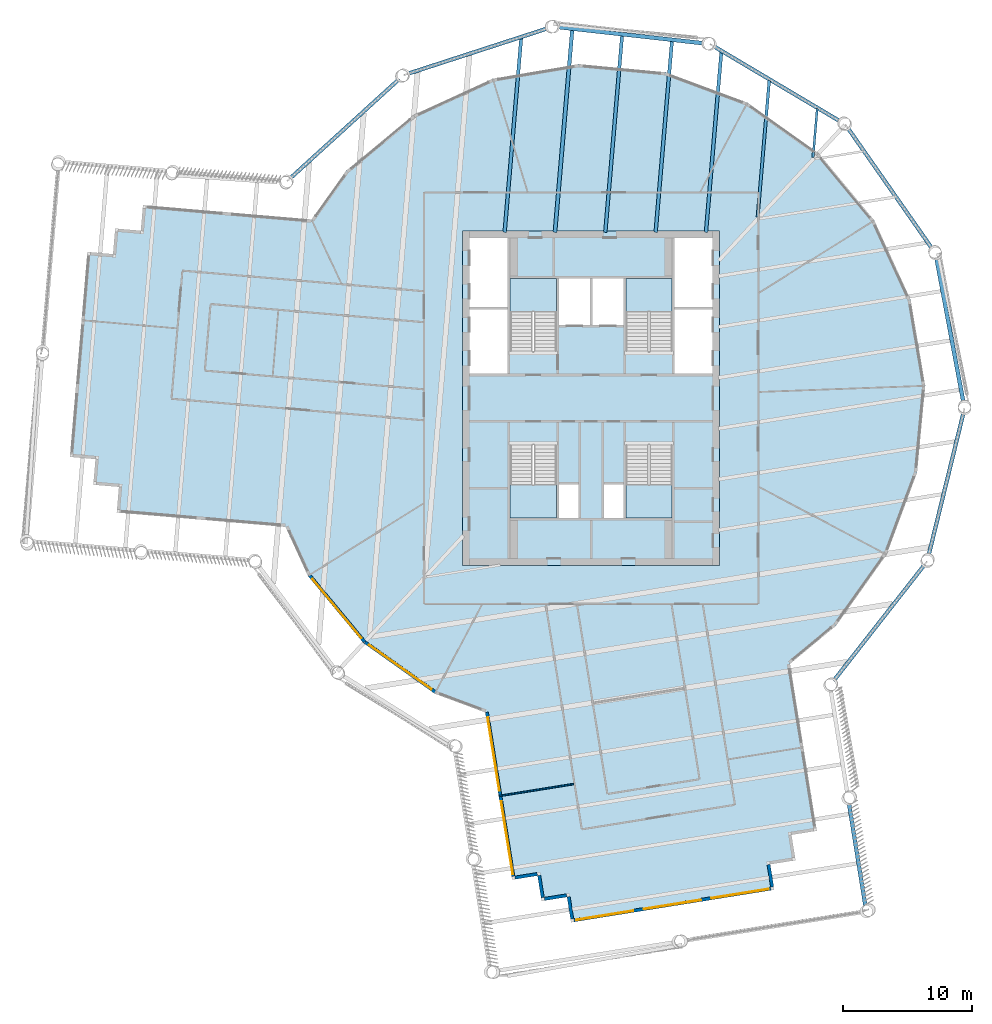
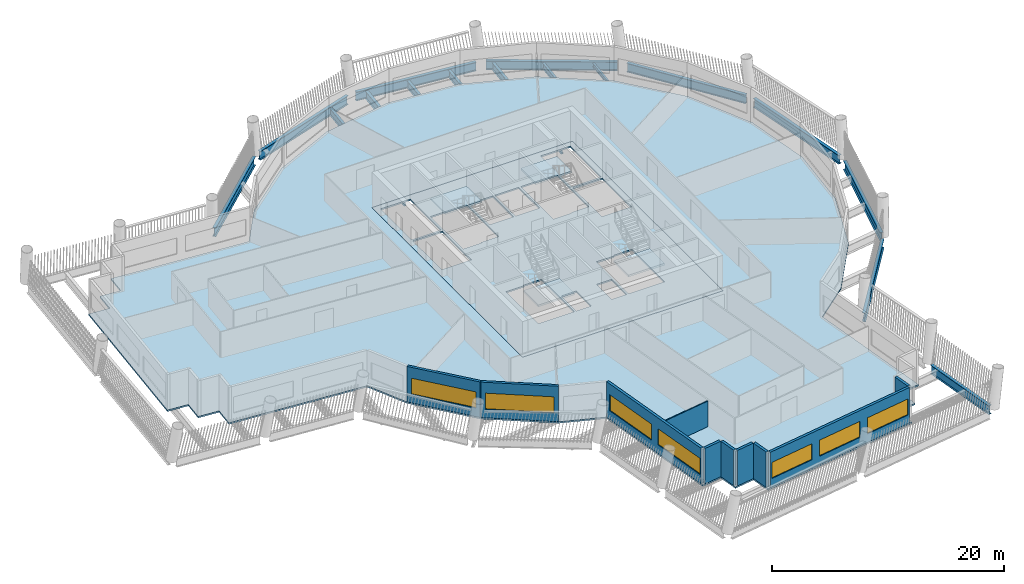
# One storey, part 2 of 14: 16 beams, 10 walls, 7 windows, 6 slabs, 7 openings, 4 elements without a shape of their own.
"""IFC4 building model written with IfcOpenShell, lengths in metres."""

from ifc_helpers import new_model, si_unit, direction, frame, frame_2d, origin, origin_2d, place, context, subcontext, project, spatial, polyline, rectangle, i_section, outline, extrude, material, layer, layer_set, material_profile, profile_set, type_object, element, fill, aggregate, save


model = new_model("IFC4")

# Units and contexts
model_context = context("Model", 3, precision=1e-05, world=origin(), true_north=direction((0.0, 1.0)))
body_context = subcontext(model_context, "Body", "Model", "MODEL_VIEW")
ifc_project = project(units=[si_unit("LENGTHUNIT", "METRE"), si_unit("AREAUNIT", "SQUARE_METRE"), si_unit("VOLUMEUNIT", "CUBIC_METRE"), si_unit("PLANEANGLEUNIT", "RADIAN"), si_unit("MASSUNIT", "GRAM", prefix="KILO")], contexts=[model_context])

# Site, building, storey
site_placement = place(None, origin())
site = spatial("IfcSite", under=ifc_project, at=site_placement, CompositionType="ELEMENT")
building_placement = place(site_placement, origin())
building = spatial("IfcBuilding", under=site, at=building_placement, Name="Tarsis Ring Headquarters", CompositionType="ELEMENT")
storey_placement = place(building_placement, frame((0.0, 0.0, 266.89990234375)))
storey = spatial("IfcBuildingStorey", under=building, at=storey_placement, Name="L62", CompositionType="ELEMENT", Elevation=266.89990234375)

# Beams
ifc_material_1 = material(Name="Structural steel S355", Category="steel")
ifc_material_profile_1 = material_profile(ifc_material_1, i_section(OverallWidth=0.177734375, OverallDepth=0.406494140625, WebThickness=0.0078125, FlangeThickness=0.0126953125, at=origin_2d()), Name="W16x40")
ifc_profile_set_1 = profile_set([ifc_material_profile_1], Name="Structural steel S355")
beam_type_1 = type_object("IfcBeamType", Name="FB Floor beam W16x40", PredefinedType="JOIST", material=ifc_profile_set_1)
beam_1_placement = place(storey_placement, frame((17.57861328125, 22.51025390625, -0.363037109375), z_axis=(-0.085073587479, -0.996374670851, 0.0), x_axis=(0.996374670851, -0.085073587479, 0.0)))
element("IfcBeam", 1, at=beam_1_placement, inside=storey, type_object=beam_type_1, Name="Floor beam FB1", PredefinedType="JOIST", context=body_context, shape_type="SweptSolid", body=[
    extrude(i_section(OverallWidth=0.177734375, OverallDepth=0.406494140625, WebThickness=0.0078125, FlangeThickness=0.0126953125, at=origin_2d()), origin(), (0.0, 0.0, 1.0), 3.805419921875),
])
ifc_material_profile_2 = material_profile(ifc_material_1, i_section(OverallWidth=0.228271484375, OverallDepth=0.607177734375, WebThickness=0.01123046875, FlangeThickness=0.017333984375, at=origin_2d()), Name="W24x76")
ifc_profile_set_2 = profile_set([ifc_material_profile_2], Name="Structural steel S355")
beam_type_2 = type_object("IfcBeamType", Name="FB Floor beam W24x76", PredefinedType="JOIST", material=ifc_profile_set_2)
beam_2_placement = place(storey_placement, frame((13.853271484375, 24.722900390625, -0.46337890625), z_axis=(-0.085068670881, -0.996375090633, 0.0), x_axis=(0.996375090633, -0.085068670881, 0.0)))
element("IfcBeam", 2, at=beam_2_placement, inside=storey, type_object=beam_type_2, Name="Floor beam FB4", PredefinedType="JOIST", context=body_context, shape_type="SweptSolid", body=[
    extrude(i_section(OverallWidth=0.228271484375, OverallDepth=0.607177734375, WebThickness=0.01123046875, FlangeThickness=0.017333984375, at=origin_2d()), origin(), (0.0, 0.0, 1.0), 10.684814453125),
])
ifc_material_profile_3 = material_profile(ifc_material_1, i_section(OverallWidth=0.2666015625, OverallDepth=0.7568359375, WebThickness=0.013916015625, FlangeThickness=0.019287109375, at=origin_2d()), Name="W30x108")
ifc_profile_set_3 = profile_set([ifc_material_profile_3], Name="Structural steel S355")
beam_type_3 = type_object("IfcBeamType", Name="FB Floor beam W30x108", PredefinedType="JOIST", material=ifc_profile_set_3)
beam_3_placement = place(storey_placement, frame((10.128173828125, 26.935546875, -0.538330078125), z_axis=(-0.085082098726, -0.996373944097, 0.0), x_axis=(0.996373944097, -0.085082098726, 0.0)))
element("IfcBeam", 3, at=beam_3_placement, inside=storey, type_object=beam_type_3, Name="Floor beam FB6", PredefinedType="JOIST", context=body_context, shape_type="SweptSolid", body=[
    extrude(i_section(OverallWidth=0.2666015625, OverallDepth=0.7568359375, WebThickness=0.013916015625, FlangeThickness=0.019287109375, at=origin_2d()), origin(), (0.0, 0.0, 1.0), 14.086181640625),
])
beam_4_placement = place(storey_placement, frame((6.2890625, 27.814697265625, -0.538330078125), z_axis=(-0.085074073348, -0.996374629366, 0.0), x_axis=(0.996374629366, -0.085074073348, 0.0)))
element("IfcBeam", 4, at=beam_4_placement, inside=storey, type_object=beam_type_3, Name="Floor beam FB6", PredefinedType="JOIST", context=body_context, shape_type="SweptSolid", body=[
    extrude(i_section(OverallWidth=0.2666015625, OverallDepth=0.7568359375, WebThickness=0.013916015625, FlangeThickness=0.019287109375, at=origin_2d()), origin(), (0.0, 0.0, 1.0), 14.968505859375),
])
beam_5_placement = place(storey_placement, frame((2.41162109375, 28.247314453125, -0.538330078125), z_axis=(-0.085069356158, -0.996375032125, 0.0), x_axis=(0.996375032125, -0.085069356158, 0.0)))
element("IfcBeam", 5, at=beam_5_placement, inside=storey, type_object=beam_type_3, Name="Floor beam FB6", PredefinedType="JOIST", context=body_context, shape_type="SweptSolid", body=[
    extrude(i_section(OverallWidth=0.2666015625, OverallDepth=0.7568359375, WebThickness=0.013916015625, FlangeThickness=0.019287109375, at=origin_2d()), origin(), (0.0, 0.0, 1.0), 15.40283203125),
])
beam_6_placement = place(storey_placement, frame((-5.435791015625, 28.023193359375, -0.538330078125), z_axis=(-0.085075388996, -0.99637451703, 0.0), x_axis=(0.99637451703, -0.085075388996, 0.0)))
element("IfcBeam", 6, at=beam_6_placement, inside=storey, type_object=beam_type_3, Name="Floor beam FB6", PredefinedType="JOIST", context=body_context, shape_type="SweptSolid", body=[
    extrude(i_section(OverallWidth=0.2666015625, OverallDepth=0.7568359375, WebThickness=0.013916015625, FlangeThickness=0.019287109375, at=origin_2d()), origin(), (0.0, 0.0, 1.0), 15.177734375),
])
ifc_material_profile_4 = material_profile(ifc_material_1, i_section(OverallWidth=0.2919921875, OverallDepth=0.835693359375, WebThickness=0.013916015625, FlangeThickness=0.018798828125, at=origin_2d()), Name="W33x118")
ifc_profile_set_4 = profile_set([ifc_material_profile_4], Name="Structural steel S355")
beam_type_4 = type_object("IfcBeamType", Name="FB Floor beam W33x118", PredefinedType="JOIST", material=ifc_profile_set_4)
beam_7_placement = place(storey_placement, frame((-1.465576171875, 28.679931640625, -0.57763671875), z_axis=(-0.085064897618, -0.99637541278, 0.0), x_axis=(0.99637541278, -0.085064897618, 0.0)))
element("IfcBeam", 7, at=beam_7_placement, inside=storey, type_object=beam_type_4, Name="Floor beam FB7", PredefinedType="JOIST", context=body_context, shape_type="SweptSolid", body=[
    extrude(i_section(OverallWidth=0.2919921875, OverallDepth=0.835693359375, WebThickness=0.013916015625, FlangeThickness=0.018798828125, at=origin_2d()), origin(), (0.0, 0.0, 1.0), 15.8369140625),
])
ifc_material_profile_5 = material_profile(ifc_material_1, i_section(OverallWidth=0.309814453125, OverallDepth=0.93212890625, WebThickness=0.02099609375, FlangeThickness=0.034423828125, at=origin_2d()), Name="W36x210")
ifc_profile_set_5 = profile_set([ifc_material_profile_5], Name="Structural steel S355")
beam_type_5 = type_object("IfcBeamType", Name="XG Ring girder W36x210", PredefinedType="BEAM", material=ifc_profile_set_5)
beam_8_placement = place(storey_placement, frame((21.324462890625, -39.461669921875, -0.466064453125), z_axis=(-0.158503052617, 0.987358487233, 0.0), x_axis=(-0.987358487233, -0.158503052617, 0.0)))
element("IfcBeam", 8, at=beam_8_placement, inside=storey, type_object=beam_type_5, Name="Ring girder XG3", PredefinedType="BEAM", context=body_context, shape_type="SweptSolid", body=[
    extrude(i_section(OverallWidth=0.309814453125, OverallDepth=0.93212890625, WebThickness=0.02099609375, FlangeThickness=0.034423828125, at=origin_2d()), origin(), (0.0, 0.0, 1.0), 7.988037109375),
])
for number, where, z_axis, x_axis, name in (
    (9, (18.856689453125, -21.973876953125, -0.466064453125), (0.61674317651, 0.787164439128, 0.0), (-0.787164439128, 0.61674317651, 0.0), "Ring girder XG3"),
    (10, (26.23779296875, -12.247802734375, -0.466064453125), (0.237453993821, 0.971398785679, 0.0), (-0.971398785679, 0.237453993821, 0.0), "Ring girder XG3"),
    (11, (28.95361328125, -0.343994140625, -0.466064453125), (-0.184055739818, 0.982915807503, 0.0), (-0.982915807503, -0.184055739818, 0.0), "Ring girder XG3"),
):
    element("IfcBeam", number, at=place(storey_placement, frame(where, z_axis=z_axis, x_axis=x_axis)), inside=storey, type_object=beam_type_5, Name=name, PredefinedType="BEAM", context=body_context, shape_type="SweptSolid", body=[
        extrude(i_section(OverallWidth=0.309814453125, OverallDepth=0.93212890625, WebThickness=0.02099609375, FlangeThickness=0.034423828125, at=origin_2d()), origin(), (0.0, 0.0, 1.0), 11.33447265625),
    ])
for number, where, z_axis, x_axis, name in (
    (12, (26.521240234375, 11.62109375, -0.466064453125), (-0.572853575586, 0.819657721819, 0.0), (-0.819657721819, -0.572853575586, 0.0), "Ring girder XG3"),
    (13, (19.373291015625, 21.519775390625, -0.466064453125), (-0.859774653714, 0.510673618696, 0.0), (-0.510673618696, -0.859774653714, 0.0), "Ring girder XG3"),
    (14, (8.78076171875, 27.592041015625, -0.466064453125), (-0.99383293219, 0.110887794164, 0.0), (-0.110887794164, -0.99383293219, 0.0), "Ring girder XG3"),
    (15, (-3.373046875, 28.758544921875, -0.466064453125), (-0.951183860027, -0.308624795545, 0.0), (0.308624795545, -0.951183860027, 0.0), "Ring girder XG3"),
):
    element("IfcBeam", number, at=place(storey_placement, frame(where, z_axis=z_axis, x_axis=x_axis)), inside=storey, type_object=beam_type_5, Name=name, PredefinedType="BEAM", context=body_context, shape_type="SweptSolid", body=[
        extrude(i_section(OverallWidth=0.309814453125, OverallDepth=0.93212890625, WebThickness=0.02099609375, FlangeThickness=0.034423828125, at=origin_2d()), origin(), (0.0, 0.0, 1.0), 11.334228515625),
    ])
beam_9_placement = place(storey_placement, frame((-14.927001953125, 24.8115234375, -0.466064453125), z_axis=(-0.739406714909, -0.673259021438, 0.0), x_axis=(0.673259021438, -0.739406714909, 0.0)))
element("IfcBeam", 16, at=beam_9_placement, inside=storey, type_object=beam_type_5, Name="Ring girder XG3", PredefinedType="BEAM", context=body_context, shape_type="SweptSolid", body=[
    extrude(i_section(OverallWidth=0.309814453125, OverallDepth=0.93212890625, WebThickness=0.02099609375, FlangeThickness=0.034423828125, at=origin_2d()), origin(), (0.0, 0.0, 1.0), 11.33447265625),
])

# Slab
ifc_material_2 = material(Name="Concrete C40/50", Category="concrete")
ifc_layer_1 = layer(ifc_material_2, 0.159912109375)
ifc_layer_set_1 = layer_set([ifc_layer_1], Name="Core floor slab 160 C40/50")
slab_type_1 = type_object("IfcSlabType", Name="Core floor slab 160 C40/50", PredefinedType="FLOOR", material=ifc_layer_set_1)
slab_1_placement = place(storey_placement, frame((0.0, 0.0, -0.159912109375)))
element("IfcSlab", 17, at=slab_1_placement, inside=storey, type_object=slab_type_1, Name="L62 core floor slab", PredefinedType="FLOOR", context=body_context, shape_type="SweptSolid", body=[
    extrude(outline(polyline([(-10.0, -13.0), (10.0, -13.0), (10.0, 13.0), (-10.0, 13.0), (-10.0, -13.0)]), holes=[polyline([(-2.5, 5.699951171875), (-0.10009765625, 5.699951171875), (-0.10009765625, 9.300048828125), (-2.5, 9.300048828125), (-2.5, 5.699951171875)]), polyline([(0.10009765625, 5.699951171875), (2.5, 5.699951171875), (2.5, 9.300048828125), (0.10009765625, 9.300048828125), (0.10009765625, 5.699951171875)]), polyline([(-9.449951171875, 1.89990234375), (-6.5, 1.89990234375), (-6.5, 6.89990234375), (-9.449951171875, 6.89990234375), (-9.449951171875, 1.89990234375)]), polyline([(-9.449951171875, 7.10009765625), (-6.5, 7.10009765625), (-6.5, 12.449951171875), (-9.449951171875, 12.449951171875), (-9.449951171875, 7.10009765625)]), polyline([(6.5, 1.89990234375), (9.449951171875, 1.89990234375), (9.449951171875, 6.89990234375), (6.5, 6.89990234375), (6.5, 1.89990234375)]), polyline([(6.5, 7.10009765625), (9.449951171875, 7.10009765625), (9.449951171875, 12.449951171875), (6.5, 12.449951171875), (6.5, 7.10009765625)]), polyline([(-2.5, -9.300048828125), (-1.0, -9.300048828125), (-1.0, -6.699951171875), (-2.5, -6.699951171875), (-2.5, -9.300048828125)]), polyline([(1.0, -9.300048828125), (2.5, -9.300048828125), (2.5, -6.699951171875), (1.0, -6.699951171875), (1.0, -9.300048828125)]), polyline([(-2.699951171875, 3.760009765625), (-2.699951171875, 9.300048828125), (-6.300048828125, 9.300048828125), (-6.300048828125, 3.659912109375), (-4.4599609375, 3.659912109375), (-4.4599609375, 3.760009765625), (-2.699951171875, 3.760009765625)]), polyline([(6.300048828125, 3.760009765625), (6.300048828125, 9.300048828125), (2.699951171875, 9.300048828125), (2.699951171875, 3.659912109375), (4.5400390625, 3.659912109375), (4.5400390625, 3.760009765625), (6.300048828125, 3.760009765625)]), polyline([(-6.300048828125, -3.760009765625), (-6.300048828125, -9.300048828125), (-2.699951171875, -9.300048828125), (-2.699951171875, -3.659912109375), (-4.5400390625, -3.659912109375), (-4.5400390625, -3.760009765625), (-6.300048828125, -3.760009765625)]), polyline([(2.699951171875, -3.760009765625), (2.699951171875, -9.300048828125), (6.300048828125, -9.300048828125), (6.300048828125, -3.659912109375), (4.4599609375, -3.659912109375), (4.4599609375, -3.760009765625), (2.699951171875, -3.760009765625)])]), origin(), (0.0, 0.0, 1.0), 0.159912109375),
])

# Stair, slab
ifc_material_3 = material(Name="Core stair 1760")
stair_type = type_object("IfcStairType", Name="Core stair 1760", PredefinedType="HALF_TURN_STAIR", material=ifc_material_3)
stair_1_placement = place(storey_placement, origin())
stair_1 = element("IfcStair", 18, at=stair_1_placement, inside=storey, type_object=stair_type, Name="L62 Firefighting stair", PredefinedType="HALF_TURN_STAIR")
ifc_layer_2 = layer(ifc_material_2, 0.199951171875)
ifc_layer_set_2 = layer_set([ifc_layer_2], Name="Core stair landing 200")
slab_type_2 = type_object("IfcSlabType", Name="Core stair landing 200", PredefinedType="LANDING", material=ifc_layer_set_2)
slab_2_placement = place(storey_placement, frame((0.0, 0.0, 1.75)))
slab_2 = element("IfcSlab", 19, at=slab_2_placement, type_object=slab_type_2, Name="Stair ST1 landing 1", PredefinedType="LANDING", context=body_context, shape_type="SweptSolid", body=[
    extrude(outline(polyline([(-2.699951171875, 6.739990234375), (-2.699951171875, 9.300048828125), (-6.300048828125, 9.300048828125), (-6.300048828125, 6.739990234375), (-2.699951171875, 6.739990234375)])), origin(), (0.0, 0.0, 1.0), 0.2001953125),
])
aggregate(stair_1, [slab_2])

stair_2_placement = place(storey_placement, origin())
stair_2 = element("IfcStair", 20, at=stair_2_placement, inside=storey, type_object=stair_type, Name="L62 Exit stair B", PredefinedType="HALF_TURN_STAIR")
slab_3_placement = place(storey_placement, frame((0.0, 0.0, 1.75)))
slab_3 = element("IfcSlab", 21, at=slab_3_placement, type_object=slab_type_2, Name="Stair ST2 landing 1", PredefinedType="LANDING", context=body_context, shape_type="SweptSolid", body=[
    extrude(outline(polyline([(6.300048828125, 6.739990234375), (6.300048828125, 9.300048828125), (2.699951171875, 9.300048828125), (2.699951171875, 6.739990234375), (6.300048828125, 6.739990234375)])), origin(), (0.0, 0.0, 1.0), 0.2001953125),
])
aggregate(stair_2, [slab_3])

stair_3_placement = place(storey_placement, origin())
stair_3 = element("IfcStair", 22, at=stair_3_placement, inside=storey, type_object=stair_type, Name="L62 Exit stair C", PredefinedType="HALF_TURN_STAIR")
slab_4_placement = place(storey_placement, frame((0.0, 0.0, 1.75)))
slab_4 = element("IfcSlab", 23, at=slab_4_placement, type_object=slab_type_2, Name="Stair ST3 landing 1", PredefinedType="LANDING", context=body_context, shape_type="SweptSolid", body=[
    extrude(outline(polyline([(-6.300048828125, -6.739990234375), (-6.300048828125, -9.300048828125), (-2.699951171875, -9.300048828125), (-2.699951171875, -6.739990234375), (-6.300048828125, -6.739990234375)])), origin(), (0.0, 0.0, 1.0), 0.2001953125),
])
aggregate(stair_3, [slab_4])

stair_4_placement = place(storey_placement, origin())
stair_4 = element("IfcStair", 24, at=stair_4_placement, inside=storey, type_object=stair_type, Name="L62 Exit stair D", PredefinedType="HALF_TURN_STAIR")
slab_5_placement = place(storey_placement, frame((0.0, 0.0, 1.75)))
slab_5 = element("IfcSlab", 25, at=slab_5_placement, type_object=slab_type_2, Name="Stair ST4 landing 1", PredefinedType="LANDING", context=body_context, shape_type="SweptSolid", body=[
    extrude(outline(polyline([(2.699951171875, -6.739990234375), (2.699951171875, -9.300048828125), (6.300048828125, -9.300048828125), (6.300048828125, -6.739990234375), (2.699951171875, -6.739990234375)])), origin(), (0.0, 0.0, 1.0), 0.2001953125),
])
aggregate(stair_4, [slab_5])

# Slab
ifc_material_4 = material(Name="Concrete C35/45", Category="concrete")
ifc_layer_3 = layer(ifc_material_4, 0.159912109375)
ifc_layer_set_3 = layer_set([ifc_layer_3], Name="FS Composite floor slab 160")
slab_type_3 = type_object("IfcSlabType", Name="FS Composite floor slab 160", PredefinedType="FLOOR", material=ifc_layer_set_3)
slab_6_placement = place(storey_placement, frame((0.0, 0.0, -0.159912109375)))
element("IfcSlab", 26, at=slab_6_placement, inside=storey, type_object=slab_type_3, Name="Floor slab L62", PredefinedType="FLOOR", context=body_context, shape_type="SweptSolid", body=[
    extrude(outline(polyline([(-23.76611328125, -10.0146484375), (-22.020263671875, -13.823974609375), (-17.692138671875, -19.05224609375), (-12.158203125, -22.982177734375), (-8.22998046875, -24.44140625), (-6.14208984375, -37.447021484375), (-4.16748046875, -37.1298828125), (-3.8505859375, -39.104736328125), (-1.875732421875, -38.78759765625), (-1.558837890625, -40.762451171875), (14.239013671875, -38.226318359375), (13.921875, -36.251708984375), (15.896728515625, -35.9345703125), (15.57958984375, -33.9599609375), (17.554443359375, -33.642822265625), (15.469970703125, -20.65771484375), (19.05224609375, -17.692138671875), (22.982177734375, -12.158203125), (25.345703125, -5.795654296875), (25.982177734375, 0.9619140625), (24.847900390625, 7.65380859375), (22.020263671875, 13.823974609375), (17.692138671875, 19.05224609375), (12.158203125, 22.982177734375), (5.795654296875, 25.345703125), (-0.9619140625, 25.982177734375), (-7.65380859375, 24.847900390625), (-13.823974609375, 22.020263671875), (-19.05224609375, 17.692138671875), (-21.7451171875, 13.900146484375), (-34.8486328125, 15.01904296875), (-35.018798828125, 13.026123046875), (-37.011474609375, 13.1962890625), (-37.181640625, 11.20361328125), (-39.174560546875, 11.373779296875), (-40.53564453125, -4.568115234375), (-38.542724609375, -4.73828125), (-38.712890625, -6.731201171875), (-36.72021484375, -6.9013671875), (-36.890380859375, -8.89404296875), (-23.76611328125, -10.0146484375)]), holes=[polyline([(-10.0, -13.0), (-10.0, 13.0), (10.0, 13.0), (10.0, -13.0), (-10.0, -13.0)])]), origin(), (0.0, 0.0, 1.0), 0.159912109375),
])

# Wall
ifc_material_5 = material(Name="Gypsum board on steel studs", Category="steel")
ifc_layer_4 = layer(ifc_material_5, 0.10009765625)
ifc_layer_set_4 = layer_set([ifc_layer_4], Name="FL partition 100 unrated")
wall_type_1 = type_object("IfcWallType", Name="FL partition 100 unrated", PredefinedType="PARTITIONING", material=ifc_layer_set_4)
wall_1_placement = place(storey_placement, frame((-7.137451171875, -30.932373046875, 0.0), z_axis=(0.0, 0.0, 1.0), x_axis=(0.987358726604, 0.158501561505, 0.0)))
element("IfcWall", 27, at=wall_1_placement, inside=storey, type_object=wall_type_1, Name="Partition PW3", PredefinedType="PARTITIONING", context=body_context, shape_type="SweptSolid", body=[
    extrude(rectangle(XDim=5.85009765625, YDim=0.10009765625, at=frame_2d((2.925048828125, 0.0))), origin(), (0.0, 0.0, 1.0), 2.7001953125),
])

# Wall, opening, window
ifc_material_6 = material(Name="Terracotta clad insulated panel wall", Category="masonry")
ifc_layer_5 = layer(ifc_material_6, 0.25)
ifc_layer_set_5 = layer_set([ifc_layer_5], Name="Facade wall terracotta panel 250")
wall_type_2 = type_object("IfcWallType", Name="Facade wall terracotta panel 250", PredefinedType="STANDARD", material=ifc_layer_set_5)
wall_2_placement = place(storey_placement, frame((-21.903076171875, -13.769775390625, 0.0), z_axis=(0.0, 0.0, 1.0), x_axis=(0.637705225041, -0.770280498231, 0.0)))
wall_2 = element("IfcWall", 28, at=wall_2_placement, inside=storey, type_object=wall_type_2, Name="External wall L62-03", PredefinedType="STANDARD", context=body_context, shape_type="SweptSolid", body=[
    extrude(rectangle(XDim=6.7216796875, YDim=0.25, at=frame_2d((3.36083984375, 0.0))), origin(), (0.0, 0.0, 1.0), 3.739990234375),
])
opening_1_placement = place(wall_2_placement, frame((0.3857421875, 0.0, 0.89990234375)))
opening_1 = element("IfcOpeningElement", 29, at=opening_1_placement, cuts=wall_2, Name="Opening WN07", PredefinedType="OPENING", context=body_context, shape_type="SweptSolid", body=[
    extrude(rectangle(XDim=5.949951171875, YDim=1.699951171875, at=frame_2d((2.97509765625, 0.85009765625))), frame((0.0, 0.135009765625, 0.0), z_axis=(0.0, -1.0, 0.0), x_axis=(1.0, 0.0, 0.0)), (0.0, 0.0, 1.0), 0.27001953125),
])
ifc_material_7 = material(Name="Aluminium framed double glazing", Category="aluminium")
window_type_1 = type_object("IfcWindowType", Name="Facade window 5950 x 1700", PartitioningType="SINGLE_PANEL", PredefinedType="WINDOW", material=ifc_material_7)
window_1_placement = place(opening_1_placement, origin())
window_1 = element("IfcWindow", 30, at=window_1_placement, inside=storey, type_object=window_type_1, Name="Window L62-03.1", OverallHeight=1.699951171875, OverallWidth=5.949951171875, PartitioningType="SINGLE_PANEL", PredefinedType="WINDOW", context=body_context, shape_type="SweptSolid", body=[
    extrude(rectangle(XDim=5.949951171875, YDim=1.699951171875, at=frame_2d((2.97509765625, 0.85009765625))), frame((0.0, 0.030029296875, 0.0), z_axis=(0.0, -1.0, 0.0), x_axis=(1.0, 0.0, 0.0)), (0.0, 0.0, 1.0), 0.06005859375),
])
fill(opening_1, window_1)

wall_3_placement = place(storey_placement, frame((-17.5927734375, -18.969482421875, 0.0), z_axis=(0.0, 0.0, 1.0), x_axis=(0.81533788836, -0.578985429699, 0.0)))
wall_3 = element("IfcWall", 31, at=wall_3_placement, inside=storey, type_object=wall_type_2, Name="External wall L62-04", PredefinedType="STANDARD", context=body_context, shape_type="SweptSolid", body=[
    extrude(rectangle(XDim=6.721435546875, YDim=0.25, at=frame_2d((3.36083984375, 0.0))), origin(), (0.0, 0.0, 1.0), 3.739990234375),
])
opening_2_placement = place(wall_3_placement, frame((0.3857421875, 0.0, 0.89990234375)))
opening_2 = element("IfcOpeningElement", 32, at=opening_2_placement, cuts=wall_3, Name="Opening WN07", PredefinedType="OPENING", context=body_context, shape_type="SweptSolid", body=[
    extrude(rectangle(XDim=5.949951171875, YDim=1.699951171875, at=frame_2d((2.97509765625, 0.85009765625))), frame((0.0, 0.135009765625, 0.0), z_axis=(0.0, -1.0, 0.0), x_axis=(1.0, 0.0, 0.0)), (0.0, 0.0, 1.0), 0.27001953125),
])
window_2_placement = place(opening_2_placement, origin())
window_2 = element("IfcWindow", 33, at=window_2_placement, inside=storey, type_object=window_type_1, Name="Window L62-04.1", OverallHeight=1.699951171875, OverallWidth=5.949951171875, PartitioningType="SINGLE_PANEL", PredefinedType="WINDOW", context=body_context, shape_type="SweptSolid", body=[
    extrude(rectangle(XDim=5.949951171875, YDim=1.699951171875, at=frame_2d((2.97509765625, 0.85009765625))), frame((0.0, 0.030029296875, 0.0), z_axis=(0.0, -1.0, 0.0), x_axis=(1.0, 0.0, 0.0)), (0.0, 0.0, 1.0), 0.06005859375),
])
fill(opening_2, window_2)

# Wall, openings, windows
wall_4_placement = place(storey_placement, frame((-8.106689453125, -24.421630859375, 0.0), z_axis=(0.0, 0.0, 1.0), x_axis=(0.158516608603, -0.987356310962, 0.0)))
wall_4 = element("IfcWall", 34, at=wall_4_placement, inside=storey, type_object=wall_type_2, Name="External wall L62-06", PredefinedType="STANDARD", context=body_context, shape_type="SweptSolid", body=[
    extrude(rectangle(XDim=12.921875, YDim=0.25, at=frame_2d((6.4609375, 0.0))), origin(), (0.0, 0.0, 1.0), 3.739990234375),
])
opening_3_placement = place(wall_4_placement, frame((0.41796875, 0.0, 0.89990234375)))
opening_3 = element("IfcOpeningElement", 35, at=opening_3_placement, cuts=wall_4, Name="Opening WN06", PredefinedType="OPENING", context=body_context, shape_type="SweptSolid", body=[
    extrude(rectangle(XDim=5.75, YDim=1.699951171875, at=frame_2d((2.875, 0.85009765625))), frame((0.0, 0.135009765625, 0.0), z_axis=(0.0, -1.0, 0.0), x_axis=(1.0, 0.0, 0.0)), (0.0, 0.0, 1.0), 0.27001953125),
])
opening_4_placement = place(wall_4_placement, frame((7.00390625, 0.0, 0.89990234375)))
opening_4 = element("IfcOpeningElement", 36, at=opening_4_placement, cuts=wall_4, Name="Opening WN06", PredefinedType="OPENING", context=body_context, shape_type="SweptSolid", body=[
    extrude(rectangle(XDim=5.75, YDim=1.699951171875, at=frame_2d((2.875, 0.85009765625))), frame((0.0, 0.135009765625, 0.0), z_axis=(0.0, -1.0, 0.0), x_axis=(1.0, 0.0, 0.0)), (0.0, 0.0, 1.0), 0.27001953125),
])
window_type_2 = type_object("IfcWindowType", Name="Facade window 5750 x 1700", PartitioningType="SINGLE_PANEL", PredefinedType="WINDOW", material=ifc_material_7)
window_3_placement = place(opening_3_placement, origin())
window_3 = element("IfcWindow", 37, at=window_3_placement, inside=storey, type_object=window_type_2, Name="Window L62-06.1", OverallHeight=1.699951171875, OverallWidth=5.75, PartitioningType="SINGLE_PANEL", PredefinedType="WINDOW", context=body_context, shape_type="SweptSolid", body=[
    extrude(rectangle(XDim=5.75, YDim=1.699951171875, at=frame_2d((2.875, 0.85009765625))), frame((0.0, 0.030029296875, 0.0), z_axis=(0.0, -1.0, 0.0), x_axis=(1.0, 0.0, 0.0)), (0.0, 0.0, 1.0), 0.06005859375),
])
fill(opening_3, window_3)
window_4_placement = place(opening_4_placement, origin())
window_4 = element("IfcWindow", 38, at=window_4_placement, inside=storey, type_object=window_type_2, Name="Window L62-06.2", OverallHeight=1.699951171875, OverallWidth=5.75, PartitioningType="SINGLE_PANEL", PredefinedType="WINDOW", context=body_context, shape_type="SweptSolid", body=[
    extrude(rectangle(XDim=5.75, YDim=1.699951171875, at=frame_2d((2.875, 0.85009765625))), frame((0.0, 0.030029296875, 0.0), z_axis=(0.0, -1.0, 0.0), x_axis=(1.0, 0.0, 0.0)), (0.0, 0.0, 1.0), 0.06005859375),
])
fill(opening_4, window_4)

# Walls
wall_5_placement = place(storey_placement, frame((-5.915283203125, -37.283935546875, 0.0), z_axis=(0.0, 0.0, 1.0), x_axis=(0.987363911868, 0.158469257401, 0.0)))
element("IfcWall", 39, at=wall_5_placement, inside=storey, type_object=wall_type_2, Name="External wall L62-07", PredefinedType="STANDARD", context=body_context, shape_type="SweptSolid", body=[
    extrude(rectangle(XDim=1.750244140625, YDim=0.25, at=frame_2d((0.875, 0.0))), origin(), (0.0, 0.0, 1.0), 3.739990234375),
])
wall_6_placement = place(storey_placement, frame((-4.044189453125, -37.110107421875, 0.0), z_axis=(0.0, 0.0, 1.0), x_axis=(0.158627094821, -0.987338566445, 0.0)))
element("IfcWall", 40, at=wall_6_placement, inside=storey, type_object=wall_type_2, Name="External wall L62-08", PredefinedType="STANDARD", context=body_context, shape_type="SweptSolid", body=[
    extrude(rectangle(XDim=1.75, YDim=0.25, at=frame_2d((0.875, 0.0))), origin(), (0.0, 0.0, 1.0), 3.739990234375),
])
wall_7_placement = place(storey_placement, frame((-3.62353515625, -38.941650390625, 0.0), z_axis=(0.0, 0.0, 1.0), x_axis=(0.987363911868, 0.158469257401, 0.0)))
element("IfcWall", 41, at=wall_7_placement, inside=storey, type_object=wall_type_2, Name="External wall L62-09", PredefinedType="STANDARD", context=body_context, shape_type="SweptSolid", body=[
    extrude(rectangle(XDim=1.750244140625, YDim=0.25, at=frame_2d((0.875, 0.0))), origin(), (0.0, 0.0, 1.0), 3.739990234375),
])
wall_8_placement = place(storey_placement, frame((-1.75244140625, -38.767822265625, 0.0), z_axis=(0.0, 0.0, 1.0), x_axis=(0.158627094821, -0.987338566445, 0.0)))
element("IfcWall", 42, at=wall_8_placement, inside=storey, type_object=wall_type_2, Name="External wall L62-10", PredefinedType="STANDARD", context=body_context, shape_type="SweptSolid", body=[
    extrude(rectangle(XDim=1.75, YDim=0.25, at=frame_2d((0.875, 0.0))), origin(), (0.0, 0.0, 1.0), 3.739990234375),
])

# Wall, openings, windows
wall_9_placement = place(storey_placement, frame((-1.331787109375, -40.599365234375, 0.0), z_axis=(0.0, 0.0, 1.0), x_axis=(0.987358821519, 0.158500970248, 0.0)))
wall_9 = element("IfcWall", 43, at=wall_9_placement, inside=storey, type_object=wall_type_2, Name="External wall L62-11", PredefinedType="STANDARD", context=body_context, shape_type="SweptSolid", body=[
    extrude(rectangle(XDim=15.500244140625, YDim=0.25, at=frame_2d((7.75, 0.0))), origin(), (0.0, 0.0, 1.0), 3.739990234375),
])
opening_5_placement = place(wall_9_placement, frame((0.166748046875, 0.0, 0.89990234375)))
opening_5 = element("IfcOpeningElement", 44, at=opening_5_placement, cuts=wall_9, Name="Opening WN04", PredefinedType="OPENING", context=body_context, shape_type="SweptSolid", body=[
    extrude(rectangle(XDim=4.5, YDim=1.699951171875, at=frame_2d((2.25, 0.85009765625))), frame((0.0, 0.135009765625, 0.0), z_axis=(0.0, -1.0, 0.0), x_axis=(1.0, 0.0, 0.0)), (0.0, 0.0, 1.0), 0.27001953125),
])
opening_6_placement = place(wall_9_placement, frame((5.5, 0.0, 0.89990234375)))
opening_6 = element("IfcOpeningElement", 45, at=opening_6_placement, cuts=wall_9, Name="Opening WN04", PredefinedType="OPENING", context=body_context, shape_type="SweptSolid", body=[
    extrude(rectangle(XDim=4.5, YDim=1.699951171875, at=frame_2d((2.25, 0.85009765625))), frame((0.0, 0.135009765625, 0.0), z_axis=(0.0, -1.0, 0.0), x_axis=(1.0, 0.0, 0.0)), (0.0, 0.0, 1.0), 0.27001953125),
])
opening_7_placement = place(wall_9_placement, frame((10.833251953125, 0.0, 0.89990234375)))
opening_7 = element("IfcOpeningElement", 46, at=opening_7_placement, cuts=wall_9, Name="Opening WN04", PredefinedType="OPENING", context=body_context, shape_type="SweptSolid", body=[
    extrude(rectangle(XDim=4.5, YDim=1.699951171875, at=frame_2d((2.25, 0.85009765625))), frame((0.0, 0.135009765625, 0.0), z_axis=(0.0, -1.0, 0.0), x_axis=(1.0, 0.0, 0.0)), (0.0, 0.0, 1.0), 0.27001953125),
])
window_type_3 = type_object("IfcWindowType", Name="Facade window 4500 x 1700", PartitioningType="SINGLE_PANEL", PredefinedType="WINDOW", material=ifc_material_7)
window_5_placement = place(opening_5_placement, origin())
window_5 = element("IfcWindow", 47, at=window_5_placement, inside=storey, type_object=window_type_3, Name="Window L62-11.1", OverallHeight=1.699951171875, OverallWidth=4.5, PartitioningType="SINGLE_PANEL", PredefinedType="WINDOW", context=body_context, shape_type="SweptSolid", body=[
    extrude(rectangle(XDim=4.5, YDim=1.699951171875, at=frame_2d((2.25, 0.85009765625))), frame((0.0, 0.030029296875, 0.0), z_axis=(0.0, -1.0, 0.0), x_axis=(1.0, 0.0, 0.0)), (0.0, 0.0, 1.0), 0.06005859375),
])
fill(opening_5, window_5)
window_6_placement = place(opening_6_placement, origin())
window_6 = element("IfcWindow", 48, at=window_6_placement, inside=storey, type_object=window_type_3, Name="Window L62-11.2", OverallHeight=1.699951171875, OverallWidth=4.5, PartitioningType="SINGLE_PANEL", PredefinedType="WINDOW", context=body_context, shape_type="SweptSolid", body=[
    extrude(rectangle(XDim=4.5, YDim=1.699951171875, at=frame_2d((2.25, 0.85009765625))), frame((0.0, 0.030029296875, 0.0), z_axis=(0.0, -1.0, 0.0), x_axis=(1.0, 0.0, 0.0)), (0.0, 0.0, 1.0), 0.06005859375),
])
fill(opening_6, window_6)
window_7_placement = place(opening_7_placement, origin())
window_7 = element("IfcWindow", 49, at=window_7_placement, inside=storey, type_object=window_type_3, Name="Window L62-11.3", OverallHeight=1.699951171875, OverallWidth=4.5, PartitioningType="SINGLE_PANEL", PredefinedType="WINDOW", context=body_context, shape_type="SweptSolid", body=[
    extrude(rectangle(XDim=4.5, YDim=1.699951171875, at=frame_2d((2.25, 0.85009765625))), frame((0.0, 0.030029296875, 0.0), z_axis=(0.0, -1.0, 0.0), x_axis=(1.0, 0.0, 0.0)), (0.0, 0.0, 1.0), 0.06005859375),
])
fill(opening_7, window_7)

# Wall
wall_10_placement = place(storey_placement, frame((14.075927734375, -37.999267578125, 0.0), z_axis=(0.0, 0.0, 1.0), x_axis=(-0.158491087113, 0.98736040801, 0.0)))
element("IfcWall", 50, at=wall_10_placement, inside=storey, type_object=wall_type_2, Name="External wall L62-12", PredefinedType="STANDARD", context=body_context, shape_type="SweptSolid", body=[
    extrude(rectangle(XDim=1.75, YDim=0.25, at=frame_2d((0.875, 0.0))), origin(), (0.0, 0.0, 1.0), 3.739990234375),
])

save(model, "model.ifc")
